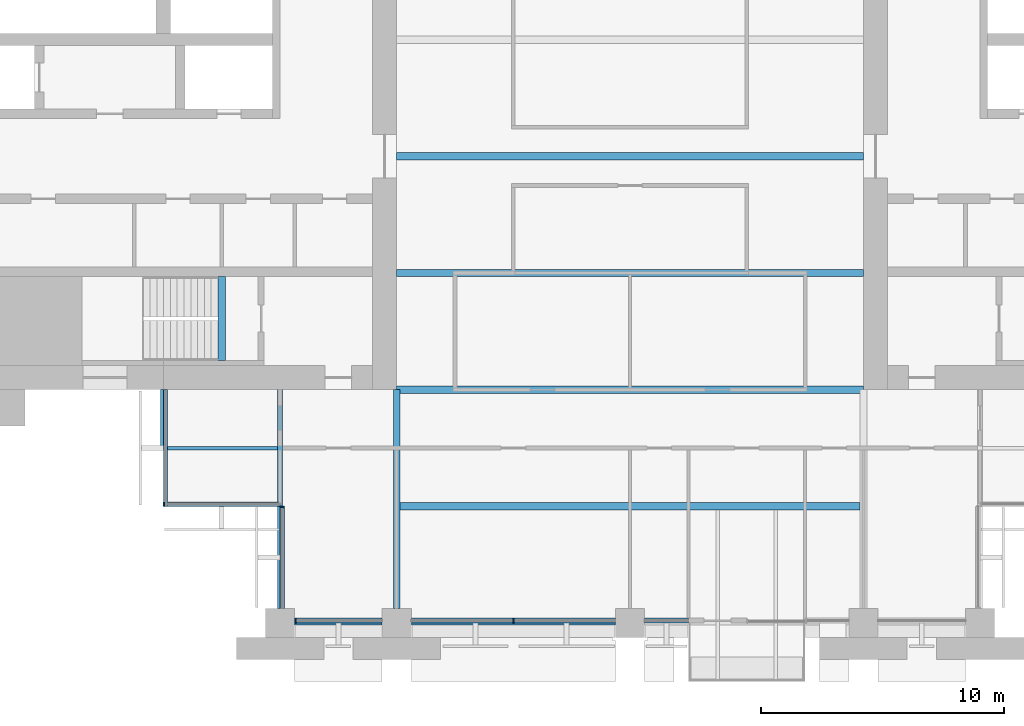
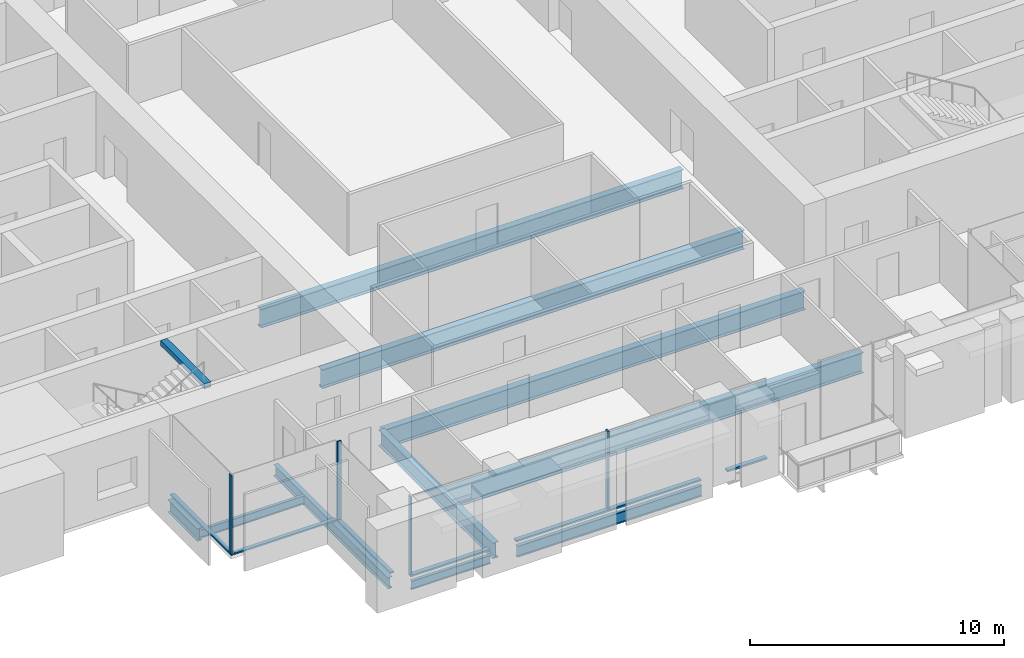
# One storey, part 2 of 15: 11 beams, 10 members, 4 elements without a shape of their own.
"""IFC4 building model written with IfcOpenShell, lengths in metres."""

import ifcopenshell
import ifcopenshell.guid

model = None  # the IFC model being written
_history = None  # IfcOwnerHistory: only IFC2X3 demands one
_inside = {}  # id of a spatial element -> (the spatial element, [elements in it])
_under = {}  # id of a project, library or spatial element -> (it, [spatial elements below it])
_declared = {}  # id of a project -> (the project, [libraries it declares])
_typed = {}  # id of a type object -> (the type object, [elements of that type])
_made_of = {}  # id of a material, layer set ... -> (it, [elements and type objects made of it])


def new_model(schema):
    """Start an empty IFC model of exactly this schema.

    Asked for "IFC4X3", IfcOpenShell would pick the latest addendum, in which some entities
    have other attributes; the version numbers below select the first issue.
    IFC2X3 requires an IfcOwnerHistory on every rooted entity: one is made here for all.
    """
    global model, _history
    if schema == "IFC4X3":
        model = ifcopenshell.file(schema_version=(4, 3, 0, 0))
    else:
        model = ifcopenshell.file(schema=schema)
    _inside.clear()
    _under.clear()
    _declared.clear()
    _typed.clear()
    _made_of.clear()
    _history = None
    if model.schema == "IFC2X3":
        org = make("IfcOrganization", Name="unknown")
        user = make(
            "IfcPersonAndOrganization",
            ThePerson=make("IfcPerson", FamilyName="unknown"),
            TheOrganization=org,
        )
        app = make(
            "IfcApplication",
            ApplicationDeveloper=org,
            Version="unknown",
            ApplicationFullName="unknown",
            ApplicationIdentifier="unknown",
        )
        _history = make(
            "IfcOwnerHistory",
            OwningUser=user,
            OwningApplication=app,
            ChangeAction="ADDED",
            CreationDate=0,
        )
    return model


def make(cls, **values):
    """One entity of the class cls with the attributes given. An attribute that is None is left unset."""
    return model.create_entity(
        cls, **{name: value for name, value in values.items() if value is not None}
    )


def rooted(cls, **values):
    """An entity with a GlobalId (a new one), such as an element, a storey or a relation."""
    return make(cls, GlobalId=ifcopenshell.guid.new(), OwnerHistory=_history, **values)


def si_unit(unit_type, name, prefix=None):
    """IfcSIUnit, for example si_unit("LENGTHUNIT", "METRE", prefix="MILLI")."""
    return make("IfcSIUnit", UnitType=unit_type, Prefix=prefix, Name=name)


def assignment(units):
    """IfcUnitAssignment: the units of a project."""
    return None if units is None else make("IfcUnitAssignment", Units=units)


def point(xyz):
    """IfcCartesianPoint."""
    return None if xyz is None else make("IfcCartesianPoint", Coordinates=xyz)


def direction(xyz):
    """IfcDirection."""
    return None if xyz is None else make("IfcDirection", DirectionRatios=xyz)


def frame(location, z_axis=None, x_axis=None):
    """IfcAxis2Placement3D, a coordinate frame: its origin and axes. An axis left out is left unset."""
    return make(
        "IfcAxis2Placement3D",
        Location=point(location),
        Axis=direction(z_axis),
        RefDirection=direction(x_axis),
    )


def frame_2d(location, x_axis=None):
    """IfcAxis2Placement2D, a coordinate frame in the plane: its origin and x axis."""
    return make(
        "IfcAxis2Placement2D", Location=point(location), RefDirection=direction(x_axis)
    )


def origin():
    """The frame at (0, 0, 0) with its axes left unset."""
    return frame((0.0, 0.0, 0.0))


def origin_2d():
    """The frame at (0, 0) in the plane with its x axis left unset."""
    return frame_2d((0.0, 0.0))


def place(relative_to, where):
    """IfcLocalPlacement: puts the frame where relative to a parent placement (None: the world)."""
    return make(
        "IfcLocalPlacement", PlacementRelTo=relative_to, RelativePlacement=where
    )


def context(
    kind, dimensions, precision=None, world=None, true_north=None, identifier=None
):
    """IfcGeometricRepresentationContext, for example the 3D "Model" context."""
    return make(
        "IfcGeometricRepresentationContext",
        ContextIdentifier=identifier,
        ContextType=kind,
        CoordinateSpaceDimension=dimensions,
        Precision=precision,
        WorldCoordinateSystem=world,
        TrueNorth=true_north,
    )


def subcontext(parent, identifier, kind, view, scale=None):
    """IfcGeometricRepresentationSubContext, for example "Body" below "Model"."""
    return make(
        "IfcGeometricRepresentationSubContext",
        ContextIdentifier=identifier,
        ContextType=kind,
        ParentContext=parent,
        TargetScale=scale,
        TargetView=view,
    )


def project(units=None, contexts=None):
    """IfcProject with its units and contexts."""
    return rooted(
        "IfcProject",
        Name="project",
        RepresentationContexts=contexts,
        UnitsInContext=assignment(units),
    )


def spatial(cls, under=None, at=None, **own):
    """A site, building, storey or space (cls), placed at a placement, below another one or the project."""
    s = rooted(cls, ObjectPlacement=at, **own)
    if under is not None:
        _under.setdefault(under.id(), (under, []))[1].append(s)
    return s


def profile(cls, at=None, kind="AREA", **sizes):
    """A parametric profile (cls). Its sizes go by their IFC names, for example OverallWidth=200.0."""
    return make(cls, ProfileType=kind, Position=at, **sizes)


def rectangle(**sizes):
    """IfcRectangleProfileDef."""
    return profile("IfcRectangleProfileDef", **sizes)


def i_section(**sizes):
    """IfcIShapeProfileDef."""
    return profile("IfcIShapeProfileDef", **sizes)


def extrude(swept, where, along, depth):
    """IfcExtrudedAreaSolid: the profile swept, set in the frame where, extruded along a direction by depth."""
    return make(
        "IfcExtrudedAreaSolid",
        SweptArea=swept,
        Position=where,
        ExtrudedDirection=direction(along),
        Depth=depth,
    )


def shape(context_of_items, identifier, shape_type, items):
    """IfcShapeRepresentation: the items that make up one representation, for example the "Body"."""
    return make(
        "IfcShapeRepresentation",
        ContextOfItems=context_of_items,
        RepresentationIdentifier=identifier,
        RepresentationType=shape_type,
        Items=items,
    )


def material(Name=None, Category=None):
    """IfcMaterial."""
    return make("IfcMaterial", Name=Name, Category=Category)


def material_profile(
    of_material, cross_section, Name=None, Category=None, Priority=None
):
    """IfcMaterialProfile: a cross section and its material."""
    return make(
        "IfcMaterialProfile",
        Name=Name,
        Material=of_material,
        Profile=cross_section,
        Priority=Priority,
        Category=Category,
    )


def profile_set(profiles, Name=None, composite=None):
    """IfcMaterialProfileSet."""
    return make(
        "IfcMaterialProfileSet",
        Name=Name,
        MaterialProfiles=profiles,
        CompositeProfile=composite,
    )


def made_of(thing, what):
    """Note that an element or type object is made of a material, layer set ...; save() writes the relation."""
    if what is not None:
        _made_of.setdefault(what.id(), (what, []))[1].append(thing)
    return thing


def type_object(cls, material=None, **own):
    """A type object (cls), such as IfcWallType, which elements share."""
    return made_of(rooted(cls, **own), material)


def element(
    cls,
    number,
    at=None,
    inside=None,
    cuts=None,
    type_object=None,
    material=None,
    context=None,
    identifier="Body",
    shape_type=None,
    held_by="IfcProductDefinitionShape",
    body=None,
    shapes=None,
    **own,
):
    """One element of the class cls, such as IfcWall. Its Tag is "e" and its number.

    at: its placement. inside: the storey or other place that contains it. cuts: it is an
    opening in that element (IfcRelVoidsElement). A single representation is given by context,
    identifier, shape_type and body (its items); several are given by shapes. held_by: the class
    of the entity that holds the representations. save() writes the other relations.
    """
    e = rooted(cls, Tag="e%d" % number, ObjectPlacement=at, **own)
    if body is not None:
        shapes = [shape(context, identifier, shape_type, body)]
    if shapes is not None:
        e.Representation = make(held_by, Representations=shapes)
    if inside is not None:
        _inside.setdefault(inside.id(), (inside, []))[1].append(e)
    if cuts is not None:
        rooted(
            "IfcRelVoidsElement", RelatingBuildingElement=cuts, RelatedOpeningElement=e
        )
    if type_object is not None:
        _typed.setdefault(type_object.id(), (type_object, []))[1].append(e)
    return made_of(e, material)


def aggregate(whole, parts):
    """IfcRelAggregates: a whole, such as a stair, and the parts it consists of."""
    return rooted("IfcRelAggregates", RelatingObject=whole, RelatedObjects=parts)


def save(model, path):
    """Write the relations noted so far, then the file.

    IfcRelAggregates (storeys below a building ...), IfcRelContainedInSpatialStructure (elements
    in a storey), IfcRelDefinesByType, IfcRelAssociatesMaterial and IfcRelDeclares: one each for
    every whole, place, type object, material and project.
    """
    for whole, parts in _under.values():
        aggregate(whole, parts)
    for where, things in _inside.values():
        rooted(
            "IfcRelContainedInSpatialStructure",
            RelatedElements=things,
            RelatingStructure=where,
        )
    for kind, things in _typed.values():
        rooted("IfcRelDefinesByType", RelatedObjects=things, RelatingType=kind)
    for what, things in _made_of.values():
        rooted("IfcRelAssociatesMaterial", RelatedObjects=things, RelatingMaterial=what)
    for by, libraries in _declared.values():
        rooted("IfcRelDeclares", RelatingContext=by, RelatedDefinitions=libraries)
    model.write(path)


model = new_model("IFC4")

# Units and contexts
model_context = context("Model", 3, precision=1e-05, world=origin(), true_north=direction((0.0, 1.0)))
body_context = subcontext(model_context, "Body", "Model", "MODEL_VIEW")
ifc_project = project(units=[si_unit("LENGTHUNIT", "METRE"), si_unit("AREAUNIT", "SQUARE_METRE"), si_unit("VOLUMEUNIT", "CUBIC_METRE"), si_unit("PLANEANGLEUNIT", "RADIAN"), si_unit("MASSUNIT", "GRAM", prefix="KILO")], contexts=[model_context])

# Site, building, storey
site_placement = place(None, origin())
site = spatial("IfcSite", under=ifc_project, at=site_placement, CompositionType="ELEMENT")
building_placement = place(site_placement, origin())
building = spatial("IfcBuilding", under=site, at=building_placement, Name="Baori Bourse Tower", CompositionType="ELEMENT")
storey_placement = place(building_placement, frame((0.0, 0.0, 116.10009765625)))
storey = spatial("IfcBuildingStorey", under=building, at=storey_placement, Name="L24", CompositionType="ELEMENT", Elevation=116.10009765625)

# Curtain wall, members
ifc_material_1 = material(Name="Pale anodised aluminium", Category="aluminium")
curtain_wall_type_1 = type_object("IfcCurtainWallType", Name="CW1 Curtain wall", PredefinedType="NOTDEFINED", material=ifc_material_1)
curtain_wall_1_placement = place(storey_placement, origin())
curtain_wall_1 = element("IfcCurtainWall", 1, at=curtain_wall_1_placement, inside=storey, type_object=curtain_wall_type_1, Name="Curtain wall CW1 L24 13", PredefinedType="NOTDEFINED")
ifc_material_2 = material(Name="Pale anodised aluminium", Category="aluminium")
ifc_material_profile_1 = material_profile(ifc_material_2, rectangle(XDim=0.199951171875, YDim=0.06005859375, at=origin_2d()), Name="Mullion 60x200")
ifc_profile_set_1 = profile_set([ifc_material_profile_1], Name="Pale anodised aluminium")
member_type_1 = type_object("IfcMemberType", Name="CW1 Curtain wall mullion", PredefinedType="MULLION", material=ifc_profile_set_1)
member_1_placement = place(storey_placement, frame((15.030029296875, 0.10009765625, 0.079833984375), z_axis=(0.0, 0.0, 1.0), x_axis=(0.0, 1.0, 0.0)))
member_1 = element("IfcMember", 2, at=member_1_placement, type_object=member_type_1, Name="Curtain wall CW1 mullion", PredefinedType="MULLION", context=body_context, shape_type="SweptSolid", body=[
    extrude(rectangle(XDim=0.199951171875, YDim=0.06005859375, at=origin_2d()), origin(), (0.0, 0.0, 1.0), 3.760009765625),
])
member_2_placement = place(storey_placement, frame((24.0, 0.10009765625, 0.079833984375), z_axis=(0.0, 0.0, 1.0), x_axis=(0.0, 1.0, 0.0)))
member_2 = element("IfcMember", 3, at=member_2_placement, type_object=member_type_1, Name="Curtain wall CW1 mullion", PredefinedType="MULLION", context=body_context, shape_type="SweptSolid", body=[
    extrude(rectangle(XDim=0.199951171875, YDim=0.06005859375, at=origin_2d()), origin(), (0.0, 0.0, 1.0), 3.760009765625),
])
ifc_material_3 = material(Name="Pale anodised aluminium", Category="aluminium")
ifc_material_profile_2 = material_profile(ifc_material_3, rectangle(XDim=0.199951171875, YDim=0.080078125, at=origin_2d()), Name="Transom 80x200")
ifc_profile_set_2 = profile_set([ifc_material_profile_2], Name="Pale anodised aluminium")
member_type_2 = type_object("IfcMemberType", Name="CW1 Curtain wall transom", PredefinedType="USERDEFINED", material=ifc_profile_set_2)
member_3_placement = place(storey_placement, frame((15.0, 0.10009765625, 0.039794921875), z_axis=(1.0, 0.0, 0.0), x_axis=(0.0, 1.0, 0.0)))
member_3 = element("IfcMember", 4, at=member_3_placement, type_object=member_type_2, Name="Curtain wall CW1 sill rail", ObjectType="TRANSOM", PredefinedType="USERDEFINED", context=body_context, shape_type="SweptSolid", body=[
    extrude(rectangle(XDim=0.199951171875, YDim=0.080078125, at=origin_2d()), origin(), (0.0, 0.0, 1.0), 3.60009765625),
])
member_4_placement = place(storey_placement, frame((19.800048828125, 0.10009765625, 0.039794921875), z_axis=(1.0, 0.0, 0.0), x_axis=(0.0, 1.0, 0.0)))
member_4 = element("IfcMember", 5, at=member_4_placement, type_object=member_type_2, Name="Curtain wall CW1 sill rail", ObjectType="TRANSOM", PredefinedType="USERDEFINED", context=body_context, shape_type="SweptSolid", body=[
    extrude(rectangle(XDim=0.199951171875, YDim=0.080078125, at=origin_2d()), origin(), (0.0, 0.0, 1.0), 8.39990234375),
])
member_5_placement = place(storey_placement, frame((29.39990234375, 0.10009765625, 0.039794921875), z_axis=(1.0, 0.0, 0.0), x_axis=(0.0, 1.0, 0.0)))
member_5 = element("IfcMember", 6, at=member_5_placement, type_object=member_type_2, Name="Curtain wall CW1 sill rail", ObjectType="TRANSOM", PredefinedType="USERDEFINED", context=body_context, shape_type="SweptSolid", body=[
    extrude(rectangle(XDim=0.199951171875, YDim=0.080078125, at=origin_2d()), origin(), (0.0, 0.0, 1.0), 1.800048828125),
])
aggregate(curtain_wall_1, [member_3, member_1, member_4, member_2, member_5])

# Curtain wall, member
ifc_material_4 = material(Name="Pale anodised aluminium", Category="aluminium")
curtain_wall_type_2 = type_object("IfcCurtainWallType", Name="CW2 Curtain wall", PredefinedType="NOTDEFINED", material=ifc_material_4)
curtain_wall_2_placement = place(storey_placement, origin())
curtain_wall_2 = element("IfcCurtainWall", 7, at=curtain_wall_2_placement, inside=storey, type_object=curtain_wall_type_2, Name="Curtain wall CW2 L24 11", PredefinedType="NOTDEFINED")
ifc_material_5 = material(Name="Pale anodised aluminium", Category="aluminium")
ifc_material_profile_3 = material_profile(ifc_material_5, rectangle(XDim=0.179931640625, YDim=0.054931640625, at=origin_2d()), Name="Mullion 55x180")
ifc_profile_set_3 = profile_set([ifc_material_profile_3], Name="Pale anodised aluminium")
member_type_3 = type_object("IfcMemberType", Name="CW2 Curtain wall mullion", PredefinedType="MULLION", material=ifc_profile_set_3)
member_6_placement = place(storey_placement, frame((9.62744140625, 4.889892578125, 0.06982421875), z_axis=(0.0, 0.0, 1.0), x_axis=(0.0, 1.0, 0.0)))
member_6 = element("IfcMember", 8, at=member_6_placement, type_object=member_type_3, Name="Curtain wall CW2 mullion", PredefinedType="MULLION", context=body_context, shape_type="SweptSolid", body=[
    extrude(rectangle(XDim=0.179931640625, YDim=0.054931640625, at=origin_2d()), origin(), (0.0, 0.0, 1.0), 3.77001953125),
])

curtain_wall_3_placement = place(storey_placement, origin())
curtain_wall_3 = element("IfcCurtainWall", 9, at=curtain_wall_3_placement, inside=storey, type_object=curtain_wall_type_2, Name="Curtain wall CW2 L24 12", PredefinedType="NOTDEFINED")
member_7_placement = place(storey_placement, frame((14.489990234375, 4.7724609375, 0.06982421875), z_axis=(0.0, 0.0, 1.0), x_axis=(1.0, 0.0, 0.0)))
member_7 = element("IfcMember", 10, at=member_7_placement, type_object=member_type_3, Name="Curtain wall CW2 mullion", PredefinedType="MULLION", context=body_context, shape_type="SweptSolid", body=[
    extrude(rectangle(XDim=0.179931640625, YDim=0.054931640625, at=origin_2d()), origin(), (0.0, 0.0, 1.0), 3.77001953125),
])

curtain_wall_4_placement = place(storey_placement, origin())
curtain_wall_4 = element("IfcCurtainWall", 11, at=curtain_wall_4_placement, inside=storey, type_object=curtain_wall_type_2, Name="Curtain wall CW2 L24 10", PredefinedType="NOTDEFINED")
ifc_material_6 = material(Name="Pale anodised aluminium", Category="aluminium")
ifc_material_profile_4 = material_profile(ifc_material_6, rectangle(XDim=0.179931640625, YDim=0.070068359375, at=origin_2d()), Name="Transom 70x180")
ifc_profile_set_4 = profile_set([ifc_material_profile_4], Name="Pale anodised aluminium")
member_type_4 = type_object("IfcMemberType", Name="CW2 Curtain wall transom", PredefinedType="USERDEFINED", material=ifc_profile_set_4)
member_8_placement = place(storey_placement, frame((9.68994140625, 9.60009765625, 0.034912109375), z_axis=(0.0, -1.0, 0.0), x_axis=(1.0, 0.0, 0.0)))
member_8 = element("IfcMember", 12, at=member_8_placement, type_object=member_type_4, Name="Curtain wall CW2 sill rail", ObjectType="TRANSOM", PredefinedType="USERDEFINED", context=body_context, shape_type="SweptSolid", body=[
    extrude(rectangle(XDim=0.179931640625, YDim=0.070068359375, at=origin_2d()), origin(), (0.0, 0.0, 1.0), 4.800048828125),
])
aggregate(curtain_wall_4, [member_8])

# Member
member_9_placement = place(storey_placement, frame((9.60009765625, 4.889892578125, 0.034912109375), z_axis=(1.0, 0.0, 0.0), x_axis=(0.0, 1.0, 0.0)))
member_9 = element("IfcMember", 13, at=member_9_placement, type_object=member_type_4, Name="Curtain wall CW2 sill rail", ObjectType="TRANSOM", PredefinedType="USERDEFINED", context=body_context, shape_type="SweptSolid", body=[
    extrude(rectangle(XDim=0.179931640625, YDim=0.070068359375, at=origin_2d()), origin(), (0.0, 0.0, 1.0), 4.7998046875),
])

aggregate(curtain_wall_2, [member_9, member_6])

member_10_placement = place(storey_placement, frame((14.489990234375, 4.800048828125, 0.034912109375), z_axis=(0.0, -1.0, 0.0), x_axis=(1.0, 0.0, 0.0)))
member_10 = element("IfcMember", 14, at=member_10_placement, type_object=member_type_4, Name="Curtain wall CW2 sill rail", ObjectType="TRANSOM", PredefinedType="USERDEFINED", context=body_context, shape_type="SweptSolid", body=[
    extrude(rectangle(XDim=0.179931640625, YDim=0.070068359375, at=origin_2d()), origin(), (0.0, 0.0, 1.0), 4.199951171875),
])

aggregate(curtain_wall_3, [member_10, member_7])

# Beams
ifc_material_7 = material(Name="Steel A992 Gr 50", Category="steel")
ifc_material_profile_5 = material_profile(ifc_material_7, i_section(OverallWidth=0.227783203125, OverallDepth=0.60205078125, WebThickness=0.010498046875, FlangeThickness=0.014892578125, at=origin_2d()), Name="W24x68")
ifc_profile_set_5 = profile_set([ifc_material_profile_5], Name="Steel A992 Gr 50")
beam_type_1 = type_object("IfcBeamType", Name="Core bracket W24x68", PredefinedType="BEAM", material=ifc_profile_set_5)
beam_1_placement = place(storey_placement, frame((9.60009765625, 7.270263671875, -0.461181640625), z_axis=(0.0, 1.0, 0.0), x_axis=(-1.0, 0.0, 0.0)))
element("IfcBeam", 15, at=beam_1_placement, inside=storey, type_object=beam_type_1, Name="Core bracket L24", PredefinedType="BEAM", context=body_context, shape_type="SweptSolid", body=[
    extrude(i_section(OverallWidth=0.227783203125, OverallDepth=0.60205078125, WebThickness=0.010498046875, FlangeThickness=0.014892578125, at=origin_2d()), origin(), (0.0, 0.0, 1.0), 2.329833984375),
])
ifc_material_8 = material(Name="Steel A992 Gr 50", Category="steel")
ifc_material_profile_6 = material_profile(ifc_material_8, i_section(OverallWidth=0.140380859375, OverallDepth=0.40380859375, WebThickness=0.007080078125, FlangeThickness=0.01123046875, at=origin_2d()), Name="W16x31")
ifc_profile_set_6 = profile_set([ifc_material_profile_6], Name="Steel A992 Gr 50")
beam_type_2 = type_object("IfcBeamType", Name="Edge beam W16x31", PredefinedType="BEAM", material=ifc_profile_set_6)
beam_2_placement = place(storey_placement, frame((15.0, 0.0, -0.362060546875), z_axis=(1.0, 0.0, 0.0), x_axis=(0.0, 1.0, 0.0)))
element("IfcBeam", 16, at=beam_2_placement, inside=storey, type_object=beam_type_2, Name="Edge beam L24", PredefinedType="BEAM", context=body_context, shape_type="SweptSolid", body=[
    extrude(i_section(OverallWidth=0.140380859375, OverallDepth=0.40380859375, WebThickness=0.007080078125, FlangeThickness=0.01123046875, at=origin_2d()), origin(), (0.0, 0.0, 1.0), 3.60009765625),
])
ifc_material_9 = material(Name="Steel A992 Gr 50", Category="steel")
ifc_material_profile_7 = material_profile(ifc_material_9, i_section(OverallWidth=0.1650390625, OverallDepth=0.52587890625, WebThickness=0.0087890625, FlangeThickness=0.011474609375, at=origin_2d()), Name="W21x44")
ifc_profile_set_7 = profile_set([ifc_material_profile_7], Name="Steel A992 Gr 50")
beam_type_3 = type_object("IfcBeamType", Name="Edge beam W21x44", PredefinedType="BEAM", material=ifc_profile_set_7)
beam_3_placement = place(storey_placement, frame((19.800048828125, 0.0, -0.423095703125), z_axis=(1.0, 0.0, 0.0), x_axis=(0.0, 1.0, 0.0)))
element("IfcBeam", 17, at=beam_3_placement, inside=storey, type_object=beam_type_3, Name="Edge beam L24", PredefinedType="BEAM", context=body_context, shape_type="SweptSolid", body=[
    extrude(i_section(OverallWidth=0.1650390625, OverallDepth=0.52587890625, WebThickness=0.0087890625, FlangeThickness=0.011474609375, at=origin_2d()), origin(), (0.0, 0.0, 1.0), 8.39990234375),
])
ifc_material_10 = material(Name="Steel A992 Gr 50", Category="steel")
ifc_material_profile_8 = material_profile(ifc_material_10, i_section(OverallWidth=0.209228515625, OverallDepth=0.533447265625, WebThickness=0.01025390625, FlangeThickness=0.015625, at=origin_2d()), Name="W21x62")
ifc_profile_set_8 = profile_set([ifc_material_profile_8], Name="Steel A992 Gr 50")
beam_type_4 = type_object("IfcBeamType", Name="Floor beam W21x62", PredefinedType="BEAM", material=ifc_profile_set_8)
beam_4_placement = place(storey_placement, frame((14.39990234375, 0.60009765625, -0.4267578125), z_axis=(0.0, 1.0, 0.0), x_axis=(-1.0, 0.0, 0.0)))
element("IfcBeam", 18, at=beam_4_placement, inside=storey, type_object=beam_type_4, Name="Floor beam L24", PredefinedType="BEAM", context=body_context, shape_type="SweptSolid", body=[
    extrude(i_section(OverallWidth=0.209228515625, OverallDepth=0.533447265625, WebThickness=0.01025390625, FlangeThickness=0.015625, at=origin_2d()), origin(), (0.0, 0.0, 1.0), 9.0),
])
ifc_material_11 = material(Name="Steel A992 Gr 50", Category="steel")
ifc_material_profile_9 = material_profile(ifc_material_11, i_section(OverallWidth=0.3046875, OverallDepth=0.904296875, WebThickness=0.01513671875, FlangeThickness=0.02001953125, at=origin_2d()), Name="W36x135")
ifc_profile_set_9 = profile_set([ifc_material_profile_9], Name="Steel A992 Gr 50")
beam_type_5 = type_object("IfcBeamType", Name="Floor beam W36x135", PredefinedType="BEAM", material=ifc_profile_set_9)
for number, where, z_axis, x_axis, name in (
    (19, (19.199951171875, 9.60009765625, -0.6123046875), (1.0, 0.0, 0.0), (0.0, 1.0, 0.0), "Floor beam L24"),
    (20, (19.199951171875, 14.39990234375, -0.6123046875), (1.0, 0.0, 0.0), (0.0, 1.0, 0.0), "Floor beam L24"),
    (21, (19.199951171875, 19.199951171875, -0.6123046875), (1.0, 0.0, 0.0), (0.0, 1.0, 0.0), "Floor beam L24"),
):
    element("IfcBeam", number, at=place(storey_placement, frame(where, z_axis=z_axis, x_axis=x_axis)), inside=storey, type_object=beam_type_5, Name=name, PredefinedType="BEAM", context=body_context, shape_type="SweptSolid", body=[
        extrude(i_section(OverallWidth=0.3046875, OverallDepth=0.904296875, WebThickness=0.01513671875, FlangeThickness=0.02001953125, at=origin_2d()), origin(), (0.0, 0.0, 1.0), 19.199951171875),
    ])
ifc_material_12 = material(Name="Steel A992 Gr 50", Category="steel")
ifc_material_profile_10 = material_profile(ifc_material_12, i_section(OverallWidth=0.2998046875, OverallDepth=0.990478515625, WebThickness=0.0166015625, FlangeThickness=0.030517578125, at=origin_2d()), Name="W40x183")
ifc_profile_set_10 = profile_set([ifc_material_profile_10], Name="Steel A992 Gr 50")
beam_type_6 = type_object("IfcBeamType", Name="Floor beam W40x183", PredefinedType="BEAM", material=ifc_profile_set_10)
beam_5_placement = place(storey_placement, frame((19.333251953125, 4.800048828125, -0.655517578125), z_axis=(1.0, 0.0, 0.0), x_axis=(0.0, 1.0, 0.0)))
element("IfcBeam", 22, at=beam_5_placement, inside=storey, type_object=beam_type_6, Name="Floor beam L24", PredefinedType="BEAM", context=body_context, shape_type="SweptSolid", body=[
    extrude(i_section(OverallWidth=0.2998046875, OverallDepth=0.990478515625, WebThickness=0.0166015625, FlangeThickness=0.030517578125, at=origin_2d()), origin(), (0.0, 0.0, 1.0), 18.920654296875),
])
ifc_material_13 = material(Name="Steel A992 Gr 50", Category="steel")
ifc_material_profile_11 = material_profile(ifc_material_13, i_section(OverallWidth=0.2666015625, OverallDepth=0.7568359375, WebThickness=0.013916015625, FlangeThickness=0.019287109375, at=origin_2d()), Name="W30x108")
ifc_profile_set_11 = profile_set([ifc_material_profile_11], Name="Steel A992 Gr 50")
beam_type_7 = type_object("IfcBeamType", Name="Girder W30x108", PredefinedType="BEAM", material=ifc_profile_set_11)
beam_6_placement = place(storey_placement, frame((19.199951171875, 0.60009765625, -0.53857421875), z_axis=(0.0, 1.0, 0.0), x_axis=(-1.0, 0.0, 0.0)))
element("IfcBeam", 23, at=beam_6_placement, inside=storey, type_object=beam_type_7, Name="Girder L24", PredefinedType="BEAM", context=body_context, shape_type="SweptSolid", body=[
    extrude(i_section(OverallWidth=0.2666015625, OverallDepth=0.7568359375, WebThickness=0.013916015625, FlangeThickness=0.019287109375, at=origin_2d()), origin(), (0.0, 0.0, 1.0), 9.0),
])
ifc_material_14 = material(Name="Concrete f'c 50 MPa", Category="concrete")
ifc_material_profile_12 = material_profile(ifc_material_14, rectangle(XDim=0.300048828125, YDim=0.25, at=origin_2d()), Name="RC 300x250")
ifc_profile_set_12 = profile_set([ifc_material_profile_12], Name="Concrete f'c 50 MPa")
beam_type_8 = type_object("IfcBeamType", Name="Stair nib beam RC 300x250", PredefinedType="BEAM", material=ifc_profile_set_12)
beam_7_placement = place(storey_placement, frame((12.0, 10.800048828125, 3.71484375), z_axis=(0.0, 1.0, 0.0), x_axis=(-1.0, 0.0, 0.0)))
element("IfcBeam", 24, at=beam_7_placement, inside=storey, type_object=beam_type_8, Name="Stair WA nib beam L25", PredefinedType="BEAM", context=body_context, shape_type="SweptSolid", body=[
    extrude(rectangle(XDim=0.300048828125, YDim=0.25, at=origin_2d()), origin(), (0.0, 0.0, 1.0), 3.449951171875),
])
ifc_material_15 = material(Name="Steel A992 Gr 50", Category="steel")
ifc_material_profile_13 = material_profile(ifc_material_15, i_section(OverallWidth=0.140380859375, OverallDepth=0.40380859375, WebThickness=0.007080078125, FlangeThickness=0.01123046875, at=origin_2d()), Name="W16x31")
ifc_profile_set_13 = profile_set([ifc_material_profile_13], Name="Steel A992 Gr 50")
beam_type_9 = type_object("IfcBeamType", Name="Trimmer beam W16x31", PredefinedType="BEAM", material=ifc_profile_set_13)
beam_8_placement = place(storey_placement, frame((9.60009765625, 7.199951171875, -0.362060546875), z_axis=(1.0, 0.0, 0.0), x_axis=(0.0, 1.0, 0.0)))
element("IfcBeam", 25, at=beam_8_placement, inside=storey, type_object=beam_type_9, Name="Trimmer beam L24", PredefinedType="BEAM", context=body_context, shape_type="SweptSolid", body=[
    extrude(i_section(OverallWidth=0.140380859375, OverallDepth=0.40380859375, WebThickness=0.007080078125, FlangeThickness=0.01123046875, at=origin_2d()), origin(), (0.0, 0.0, 1.0), 4.6953125),
])

save(model, "model.ifc")
